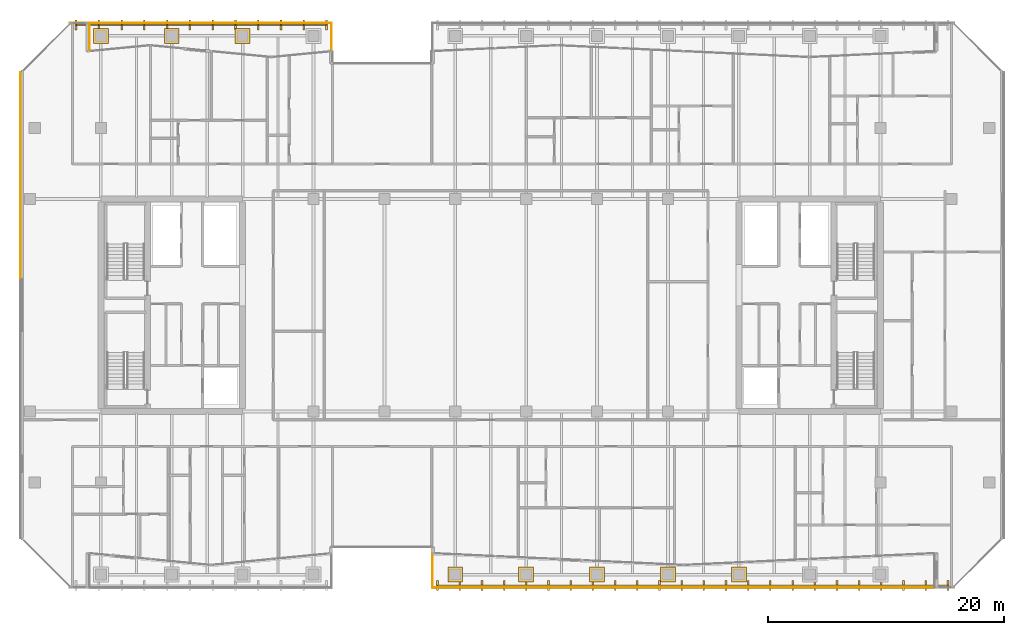
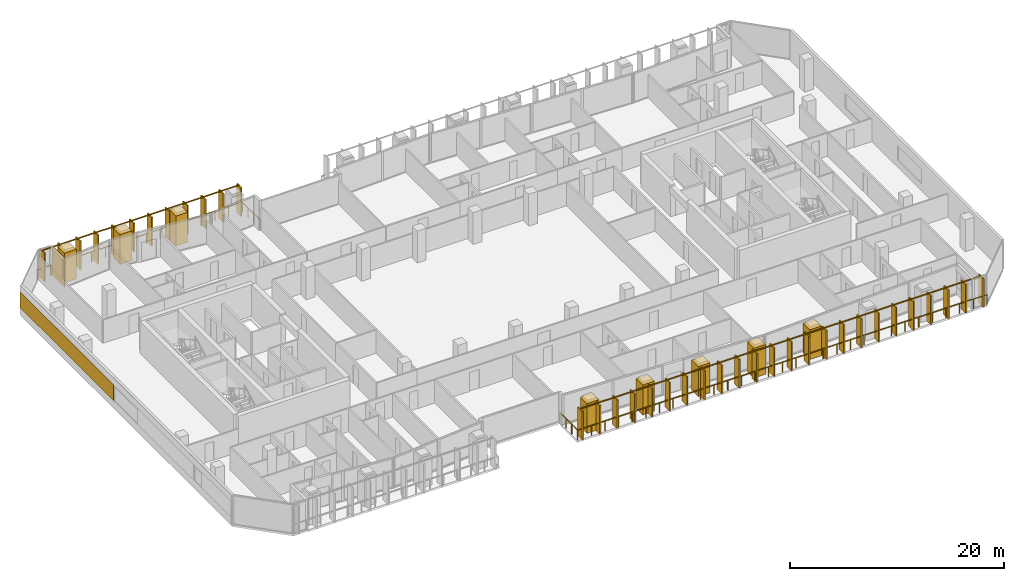
# One storey, part 36 of 39: 10 coverings, 4 railings.
"""IFC4 building model written with IfcOpenShell, lengths in metres."""

from ifc_helpers import new_model, si_unit, direction, frame, origin, origin_2d, place, context, subcontext, project, spatial, rectangle, extrude, material, layer, layer_set, type_object, element, save


model = new_model("IFC4")

# Units and contexts
model_context = context("Model", 3, precision=1e-05, world=origin(), true_north=direction((0.0, 1.0)))
body_context = subcontext(model_context, "Body", "Model", "MODEL_VIEW")
ifc_project = project(units=[si_unit("LENGTHUNIT", "METRE"), si_unit("AREAUNIT", "SQUARE_METRE"), si_unit("VOLUMEUNIT", "CUBIC_METRE"), si_unit("PLANEANGLEUNIT", "RADIAN"), si_unit("MASSUNIT", "GRAM", prefix="KILO")], contexts=[model_context])

# Site, building, storey
site_placement = place(None, origin())
site = spatial("IfcSite", under=ifc_project, at=site_placement, CompositionType="ELEMENT")
building_placement = place(site_placement, origin())
building = spatial("IfcBuilding", under=site, at=building_placement, Name="Tanjung Sevakor Pilgrim Tower", CompositionType="ELEMENT")
storey_placement = place(building_placement, frame((0.0, 0.0, 108.570068359375)))
storey = spatial("IfcBuildingStorey", under=building, at=storey_placement, Name="L30", CompositionType="ELEMENT", Elevation=108.570068359375)

# Coverings
ifc_material_1 = material(Name="Reconstructed Limestone Cladding", Category="masonry")
ifc_layer = layer(ifc_material_1, 0.044921875)
ifc_layer_set = layer_set([ifc_layer], Name="COV-CLAD-LIMESTONE")
covering_type = type_object("IfcCoveringType", Name="COV-CLAD-LIMESTONE", PredefinedType="CLADDING", material=ifc_layer_set)
covering_1_placement = place(storey_placement, frame((23.0224609375, 56.278564453125, 0.019775390625), z_axis=(0.0, 0.0, 1.0), x_axis=(0.0, 1.0, 0.0)))
element("IfcCovering", 1, at=covering_1_placement, inside=storey, type_object=covering_type, Name="L30 Warm Limestone Wall Cladding EW-L30-MAIN-32", PredefinedType="CLADDING", context=body_context, shape_type="SweptSolid", body=[
    extrude(rectangle(XDim=2.352783203125, YDim=0.044921875, at=origin_2d()), origin(), (0.0, 0.0, 1.0), 3.3701171875),
])
covering_2_placement = place(storey_placement, frame((17.177490234375, 44.5791015625, 0.849853515625), z_axis=(0.0, 0.0, 1.0), x_axis=(0.0, -1.0, 0.0)))
element("IfcCovering", 2, at=covering_2_placement, inside=storey, type_object=covering_type, Name="L30 Warm Limestone Pier Panel EW-L30-MAIN-35-1", PredefinedType="CLADDING", context=body_context, shape_type="SweptSolid", body=[
    extrude(rectangle(XDim=17.458251953125, YDim=0.044921875, at=origin_2d()), origin(), (0.0, 0.0, 1.0), 1.81005859375),
])
for number, where, z_axis, x_axis, name in (
    (3, (24.0, 56.39990234375, 0.009765625), (0.0, 0.0, 1.0), (1.0, 0.0, 0.0), "L30 Colonnade Pier Limestone Casing 26"),
    (4, (30.0, 56.39990234375, 0.009765625), (0.0, 0.0, 1.0), (1.0, 0.0, 0.0), "L30 Colonnade Pier Limestone Casing 28"),
    (5, (36.0, 56.39990234375, 0.009765625), (0.0, 0.0, 1.0), (1.0, 0.0, 0.0), "L30 Colonnade Pier Limestone Casing 30"),
    (6, (54.0, 10.800048828125, 0.009765625), (0.0, 0.0, 1.0), (1.0, 0.0, 0.0), "L30 Colonnade Pier Limestone Casing 33"),
    (7, (60.0, 10.800048828125, 0.009765625), (0.0, 0.0, 1.0), (1.0, 0.0, 0.0), "L30 Colonnade Pier Limestone Casing 35"),
    (8, (66.0, 10.800048828125, 0.009765625), (0.0, 0.0, 1.0), (1.0, 0.0, 0.0), "L30 Colonnade Pier Limestone Casing 37"),
    (9, (72.0, 10.800048828125, 0.009765625), (0.0, 0.0, 1.0), (1.0, 0.0, 0.0), "L30 Colonnade Pier Limestone Casing 39"),
    (10, (78.0, 10.800048828125, 0.009765625), (0.0, 0.0, 1.0), (1.0, 0.0, 0.0), "L30 Colonnade Pier Limestone Casing 41"),
):
    element("IfcCovering", number, at=place(storey_placement, frame(where, z_axis=z_axis, x_axis=x_axis)), inside=storey, type_object=covering_type, Name=name, PredefinedType="CLADDING", context=body_context, shape_type="SweptSolid", body=[
        extrude(rectangle(XDim=1.260009765625, YDim=1.260009765625, at=origin_2d()), origin(), (0.0, 0.0, 1.0), 3.389892578125),
    ])

# Railings
ifc_material_2 = material(Name="Steel S355J2", Category="steel")
railing_type_1 = type_object("IfcRailingType", Name="RL-EXT-GUARD", PredefinedType="GUARDRAIL", material=ifc_material_2)
railing_1_placement = place(storey_placement, frame((21.39990234375, 57.5, 0.0)))
element("IfcRailing", 11, at=railing_1_placement, inside=storey, type_object=railing_type_1, Name="L30 S-Curve Gap Guardrail NW", PredefinedType="GUARDRAIL", context=body_context, shape_type="SweptSolid", body=[
    extrude(rectangle(XDim=0.0479, YDim=0.0479), frame((0.0, 0.0, 1.1259765625), z_axis=(1.0, 0.0, 0.0), x_axis=(0.0, 1.0, 0.0)), (0.0, 0.0, 1.0), 22.1201171875),
    extrude(rectangle(XDim=0.0479, YDim=0.0479), frame((22.1201171875, 0.0, 1.1259765625), z_axis=(0.0, -1.0, 0.0), x_axis=(1.0, 0.0, 0.0)), (0.0, 0.0, 1.0), 3.300048828125),
    extrude(rectangle(XDim=0.042, YDim=0.042), origin(), (0.0, 0.0, 1.0), 1.101806640625),
    extrude(rectangle(XDim=0.042, YDim=0.042), frame((1.474609375, 0.0, 0.0)), (0.0, 0.0, 1.0), 1.101806640625),
    extrude(rectangle(XDim=0.042, YDim=0.042), frame((2.949462890625, 0.0, 0.0)), (0.0, 0.0, 1.0), 1.101806640625),
    extrude(rectangle(XDim=0.042, YDim=0.042), frame((4.424072265625, 0.0, 0.0)), (0.0, 0.0, 1.0), 1.101806640625),
    extrude(rectangle(XDim=0.042, YDim=0.042), frame((5.898681640625, 0.0, 0.0)), (0.0, 0.0, 1.0), 1.101806640625),
    extrude(rectangle(XDim=0.042, YDim=0.042), frame((7.373291015625, 0.0, 0.0)), (0.0, 0.0, 1.0), 1.101806640625),
    extrude(rectangle(XDim=0.042, YDim=0.042), frame((8.84814453125, 0.0, 0.0)), (0.0, 0.0, 1.0), 1.101806640625),
    extrude(rectangle(XDim=0.042, YDim=0.042), frame((10.32275390625, 0.0, 0.0)), (0.0, 0.0, 1.0), 1.101806640625),
    extrude(rectangle(XDim=0.042, YDim=0.042), frame((11.79736328125, 0.0, 0.0)), (0.0, 0.0, 1.0), 1.101806640625),
    extrude(rectangle(XDim=0.042, YDim=0.042), frame((13.27197265625, 0.0, 0.0)), (0.0, 0.0, 1.0), 1.101806640625),
    extrude(rectangle(XDim=0.042, YDim=0.042), frame((14.746826171875, 0.0, 0.0)), (0.0, 0.0, 1.0), 1.101806640625),
    extrude(rectangle(XDim=0.042, YDim=0.042), frame((16.221435546875, 0.0, 0.0)), (0.0, 0.0, 1.0), 1.101806640625),
    extrude(rectangle(XDim=0.042, YDim=0.042), frame((17.696044921875, 0.0, 0.0)), (0.0, 0.0, 1.0), 1.101806640625),
    extrude(rectangle(XDim=0.042, YDim=0.042), frame((19.170654296875, 0.0, 0.0)), (0.0, 0.0, 1.0), 1.101806640625),
    extrude(rectangle(XDim=0.042, YDim=0.042), frame((20.6455078125, 0.0, 0.0)), (0.0, 0.0, 1.0), 1.101806640625),
    extrude(rectangle(XDim=0.042, YDim=0.042), frame((22.1201171875, 0.0, 0.0)), (0.0, 0.0, 1.0), 1.101806640625),
    extrude(rectangle(XDim=0.042, YDim=0.042), frame((22.1201171875, -1.10009765625, 0.0)), (0.0, 0.0, 1.0), 1.101806640625),
    extrude(rectangle(XDim=0.042, YDim=0.042), frame((22.1201171875, -2.199951171875, 0.0)), (0.0, 0.0, 1.0), 1.101806640625),
    extrude(rectangle(XDim=0.042, YDim=0.042), frame((22.1201171875, -3.300048828125, 0.0)), (0.0, 0.0, 1.0), 1.101806640625),
])
railing_2_placement = place(storey_placement, frame((52.080078125, 13.0, 0.0)))
element("IfcRailing", 12, at=railing_2_placement, inside=storey, type_object=railing_type_1, Name="L30 S-Curve Gap Guardrail SE", PredefinedType="GUARDRAIL", context=body_context, shape_type="SweptSolid", body=[
    extrude(rectangle(XDim=0.0479, YDim=0.0479), frame((0.0, 0.0, 1.1259765625), z_axis=(0.0, -1.0, 0.0), x_axis=(1.0, 0.0, 0.0)), (0.0, 0.0, 1.0), 3.300048828125),
    extrude(rectangle(XDim=0.0479, YDim=0.0479), frame((0.0, -3.300048828125, 1.1259765625), z_axis=(1.0, 0.0, 0.0), x_axis=(0.0, 1.0, 0.0)), (0.0, 0.0, 1.0), 44.119873046875),
    extrude(rectangle(XDim=0.042, YDim=0.042), origin(), (0.0, 0.0, 1.0), 1.101806640625),
    extrude(rectangle(XDim=0.042, YDim=0.042), frame((0.0, -1.10009765625, 0.0)), (0.0, 0.0, 1.0), 1.101806640625),
    extrude(rectangle(XDim=0.042, YDim=0.042), frame((0.0, -2.199951171875, 0.0)), (0.0, 0.0, 1.0), 1.101806640625),
    extrude(rectangle(XDim=0.042, YDim=0.042), frame((0.0, -3.300048828125, 0.0)), (0.0, 0.0, 1.0), 1.101806640625),
    extrude(rectangle(XDim=0.042, YDim=0.042), frame((1.470703125, -3.300048828125, 0.0)), (0.0, 0.0, 1.0), 1.101806640625),
    extrude(rectangle(XDim=0.042, YDim=0.042), frame((2.94140625, -3.300048828125, 0.0)), (0.0, 0.0, 1.0), 1.101806640625),
    extrude(rectangle(XDim=0.042, YDim=0.042), frame((4.412109375, -3.300048828125, 0.0)), (0.0, 0.0, 1.0), 1.101806640625),
    extrude(rectangle(XDim=0.042, YDim=0.042), frame((5.882568359375, -3.300048828125, 0.0)), (0.0, 0.0, 1.0), 1.101806640625),
    extrude(rectangle(XDim=0.042, YDim=0.042), frame((7.353271484375, -3.300048828125, 0.0)), (0.0, 0.0, 1.0), 1.101806640625),
    extrude(rectangle(XDim=0.042, YDim=0.042), frame((8.823974609375, -3.300048828125, 0.0)), (0.0, 0.0, 1.0), 1.101806640625),
    extrude(rectangle(XDim=0.042, YDim=0.042), frame((10.294677734375, -3.300048828125, 0.0)), (0.0, 0.0, 1.0), 1.101806640625),
    extrude(rectangle(XDim=0.042, YDim=0.042), frame((11.765380859375, -3.300048828125, 0.0)), (0.0, 0.0, 1.0), 1.101806640625),
    extrude(rectangle(XDim=0.042, YDim=0.042), frame((13.23583984375, -3.300048828125, 0.0)), (0.0, 0.0, 1.0), 1.101806640625),
    extrude(rectangle(XDim=0.042, YDim=0.042), frame((14.70654296875, -3.300048828125, 0.0)), (0.0, 0.0, 1.0), 1.101806640625),
    extrude(rectangle(XDim=0.042, YDim=0.042), frame((16.17724609375, -3.300048828125, 0.0)), (0.0, 0.0, 1.0), 1.101806640625),
    extrude(rectangle(XDim=0.042, YDim=0.042), frame((17.64794921875, -3.300048828125, 0.0)), (0.0, 0.0, 1.0), 1.101806640625),
    extrude(rectangle(XDim=0.042, YDim=0.042), frame((19.11865234375, -3.300048828125, 0.0)), (0.0, 0.0, 1.0), 1.101806640625),
    extrude(rectangle(XDim=0.042, YDim=0.042), frame((20.58935546875, -3.300048828125, 0.0)), (0.0, 0.0, 1.0), 1.101806640625),
    extrude(rectangle(XDim=0.042, YDim=0.042), frame((22.06005859375, -3.300048828125, 0.0)), (0.0, 0.0, 1.0), 1.101806640625),
    extrude(rectangle(XDim=0.042, YDim=0.042), frame((23.530517578125, -3.300048828125, 0.0)), (0.0, 0.0, 1.0), 1.101806640625),
    extrude(rectangle(XDim=0.042, YDim=0.042), frame((25.001220703125, -3.300048828125, 0.0)), (0.0, 0.0, 1.0), 1.101806640625),
    extrude(rectangle(XDim=0.042, YDim=0.042), frame((26.471923828125, -3.300048828125, 0.0)), (0.0, 0.0, 1.0), 1.101806640625),
    extrude(rectangle(XDim=0.042, YDim=0.042), frame((27.942626953125, -3.300048828125, 0.0)), (0.0, 0.0, 1.0), 1.101806640625),
    extrude(rectangle(XDim=0.042, YDim=0.042), frame((29.413330078125, -3.300048828125, 0.0)), (0.0, 0.0, 1.0), 1.101806640625),
    extrude(rectangle(XDim=0.042, YDim=0.042), frame((30.8837890625, -3.300048828125, 0.0)), (0.0, 0.0, 1.0), 1.101806640625),
    extrude(rectangle(XDim=0.042, YDim=0.042), frame((32.3544921875, -3.300048828125, 0.0)), (0.0, 0.0, 1.0), 1.101806640625),
    extrude(rectangle(XDim=0.042, YDim=0.042), frame((33.8251953125, -3.300048828125, 0.0)), (0.0, 0.0, 1.0), 1.101806640625),
    extrude(rectangle(XDim=0.042, YDim=0.042), frame((35.2958984375, -3.300048828125, 0.0)), (0.0, 0.0, 1.0), 1.101806640625),
    extrude(rectangle(XDim=0.042, YDim=0.042), frame((36.7666015625, -3.300048828125, 0.0)), (0.0, 0.0, 1.0), 1.101806640625),
    extrude(rectangle(XDim=0.042, YDim=0.042), frame((38.2373046875, -3.300048828125, 0.0)), (0.0, 0.0, 1.0), 1.101806640625),
    extrude(rectangle(XDim=0.042, YDim=0.042), frame((39.7080078125, -3.300048828125, 0.0)), (0.0, 0.0, 1.0), 1.101806640625),
    extrude(rectangle(XDim=0.042, YDim=0.042), frame((41.178466796875, -3.300048828125, 0.0)), (0.0, 0.0, 1.0), 1.101806640625),
    extrude(rectangle(XDim=0.042, YDim=0.042), frame((42.649169921875, -3.300048828125, 0.0)), (0.0, 0.0, 1.0), 1.101806640625),
    extrude(rectangle(XDim=0.042, YDim=0.042), frame((44.119873046875, -3.300048828125, 0.0)), (0.0, 0.0, 1.0), 1.101806640625),
])
ifc_material_3 = material(Name="Anodised Bronze Aluminium 6063-T6", Category="aluminium")
railing_type_2 = type_object("IfcRailingType", Name="RL-FIN-SCREEN", PredefinedType="BALUSTRADE", material=ifc_material_3)
railing_3_placement = place(storey_placement, frame((21.89990234375, 57.320068359375, 0.0)))
element("IfcRailing", 13, at=railing_3_placement, inside=storey, type_object=railing_type_2, Name="L30 Vertical Bronze-Gold Solar Fin Screen FN-SCGAP-L30-NW-1", PredefinedType="BALUSTRADE", context=body_context, shape_type="SweptSolid", body=[
    extrude(rectangle(XDim=0.105, YDim=0.105), frame((0.0, 0.0, 3.317626953125), z_axis=(1.0, 0.0, 0.0), x_axis=(0.0, 1.0, 0.0)), (0.0, 0.0, 1.0), 21.2001953125),
    extrude(rectangle(XDim=0.14, YDim=0.85), origin(), (0.0, 0.0, 1.0), 3.26513671875),
    extrude(rectangle(XDim=0.14, YDim=0.85), frame((1.92724609375, 0.0, 0.0)), (0.0, 0.0, 1.0), 3.26513671875),
    extrude(rectangle(XDim=0.14, YDim=0.85), frame((3.8544921875, 0.0, 0.0)), (0.0, 0.0, 1.0), 3.26513671875),
    extrude(rectangle(XDim=0.14, YDim=0.85), frame((5.781982421875, 0.0, 0.0)), (0.0, 0.0, 1.0), 3.26513671875),
    extrude(rectangle(XDim=0.14, YDim=0.85), frame((7.709228515625, 0.0, 0.0)), (0.0, 0.0, 1.0), 3.26513671875),
    extrude(rectangle(XDim=0.14, YDim=0.85), frame((9.636474609375, 0.0, 0.0)), (0.0, 0.0, 1.0), 3.26513671875),
    extrude(rectangle(XDim=0.14, YDim=0.85), frame((11.563720703125, 0.0, 0.0)), (0.0, 0.0, 1.0), 3.26513671875),
    extrude(rectangle(XDim=0.14, YDim=0.85), frame((13.490966796875, 0.0, 0.0)), (0.0, 0.0, 1.0), 3.26513671875),
    extrude(rectangle(XDim=0.14, YDim=0.85), frame((15.418212890625, 0.0, 0.0)), (0.0, 0.0, 1.0), 3.26513671875),
    extrude(rectangle(XDim=0.14, YDim=0.85), frame((17.345703125, 0.0, 0.0)), (0.0, 0.0, 1.0), 3.26513671875),
    extrude(rectangle(XDim=0.14, YDim=0.85), frame((19.27294921875, 0.0, 0.0)), (0.0, 0.0, 1.0), 3.26513671875),
    extrude(rectangle(XDim=0.14, YDim=0.85), frame((21.2001953125, 0.0, 0.0)), (0.0, 0.0, 1.0), 3.26513671875),
])
railing_4_placement = place(storey_placement, frame((52.5, 9.8798828125, 0.0)))
element("IfcRailing", 14, at=railing_4_placement, inside=storey, type_object=railing_type_2, Name="L30 Vertical Bronze-Gold Solar Fin Screen FN-SCGAP-L30-SE-1", PredefinedType="BALUSTRADE", context=body_context, shape_type="SweptSolid", body=[
    extrude(rectangle(XDim=0.105, YDim=0.105), frame((0.0, 0.0, 3.317626953125), z_axis=(1.0, 0.0, 0.0), x_axis=(0.0, 1.0, 0.0)), (0.0, 0.0, 1.0), 43.199951171875),
    extrude(rectangle(XDim=0.14, YDim=0.85), origin(), (0.0, 0.0, 1.0), 3.26513671875),
    extrude(rectangle(XDim=0.14, YDim=0.85), frame((1.878173828125, 0.0, 0.0)), (0.0, 0.0, 1.0), 3.26513671875),
    extrude(rectangle(XDim=0.14, YDim=0.85), frame((3.756591796875, 0.0, 0.0)), (0.0, 0.0, 1.0), 3.26513671875),
    extrude(rectangle(XDim=0.14, YDim=0.85), frame((5.634765625, 0.0, 0.0)), (0.0, 0.0, 1.0), 3.26513671875),
    extrude(rectangle(XDim=0.14, YDim=0.85), frame((7.512939453125, 0.0, 0.0)), (0.0, 0.0, 1.0), 3.26513671875),
    extrude(rectangle(XDim=0.14, YDim=0.85), frame((9.391357421875, 0.0, 0.0)), (0.0, 0.0, 1.0), 3.26513671875),
    extrude(rectangle(XDim=0.14, YDim=0.85), frame((11.26953125, 0.0, 0.0)), (0.0, 0.0, 1.0), 3.26513671875),
    extrude(rectangle(XDim=0.14, YDim=0.85), frame((13.147705078125, 0.0, 0.0)), (0.0, 0.0, 1.0), 3.26513671875),
    extrude(rectangle(XDim=0.14, YDim=0.85), frame((15.026123046875, 0.0, 0.0)), (0.0, 0.0, 1.0), 3.26513671875),
    extrude(rectangle(XDim=0.14, YDim=0.85), frame((16.904296875, 0.0, 0.0)), (0.0, 0.0, 1.0), 3.26513671875),
    extrude(rectangle(XDim=0.14, YDim=0.85), frame((18.782470703125, 0.0, 0.0)), (0.0, 0.0, 1.0), 3.26513671875),
    extrude(rectangle(XDim=0.14, YDim=0.85), frame((20.660888671875, 0.0, 0.0)), (0.0, 0.0, 1.0), 3.26513671875),
    extrude(rectangle(XDim=0.14, YDim=0.85), frame((22.5390625, 0.0, 0.0)), (0.0, 0.0, 1.0), 3.26513671875),
    extrude(rectangle(XDim=0.14, YDim=0.85), frame((24.41748046875, 0.0, 0.0)), (0.0, 0.0, 1.0), 3.26513671875),
    extrude(rectangle(XDim=0.14, YDim=0.85), frame((26.295654296875, 0.0, 0.0)), (0.0, 0.0, 1.0), 3.26513671875),
    extrude(rectangle(XDim=0.14, YDim=0.85), frame((28.173828125, 0.0, 0.0)), (0.0, 0.0, 1.0), 3.26513671875),
    extrude(rectangle(XDim=0.14, YDim=0.85), frame((30.05224609375, 0.0, 0.0)), (0.0, 0.0, 1.0), 3.26513671875),
    extrude(rectangle(XDim=0.14, YDim=0.85), frame((31.930419921875, 0.0, 0.0)), (0.0, 0.0, 1.0), 3.26513671875),
    extrude(rectangle(XDim=0.14, YDim=0.85), frame((33.80859375, 0.0, 0.0)), (0.0, 0.0, 1.0), 3.26513671875),
    extrude(rectangle(XDim=0.14, YDim=0.85), frame((35.68701171875, 0.0, 0.0)), (0.0, 0.0, 1.0), 3.26513671875),
    extrude(rectangle(XDim=0.14, YDim=0.85), frame((37.565185546875, 0.0, 0.0)), (0.0, 0.0, 1.0), 3.26513671875),
    extrude(rectangle(XDim=0.14, YDim=0.85), frame((39.443359375, 0.0, 0.0)), (0.0, 0.0, 1.0), 3.26513671875),
    extrude(rectangle(XDim=0.14, YDim=0.85), frame((41.32177734375, 0.0, 0.0)), (0.0, 0.0, 1.0), 3.26513671875),
    extrude(rectangle(XDim=0.14, YDim=0.85), frame((43.199951171875, 0.0, 0.0)), (0.0, 0.0, 1.0), 3.26513671875),
])

save(model, "model.ifc")
